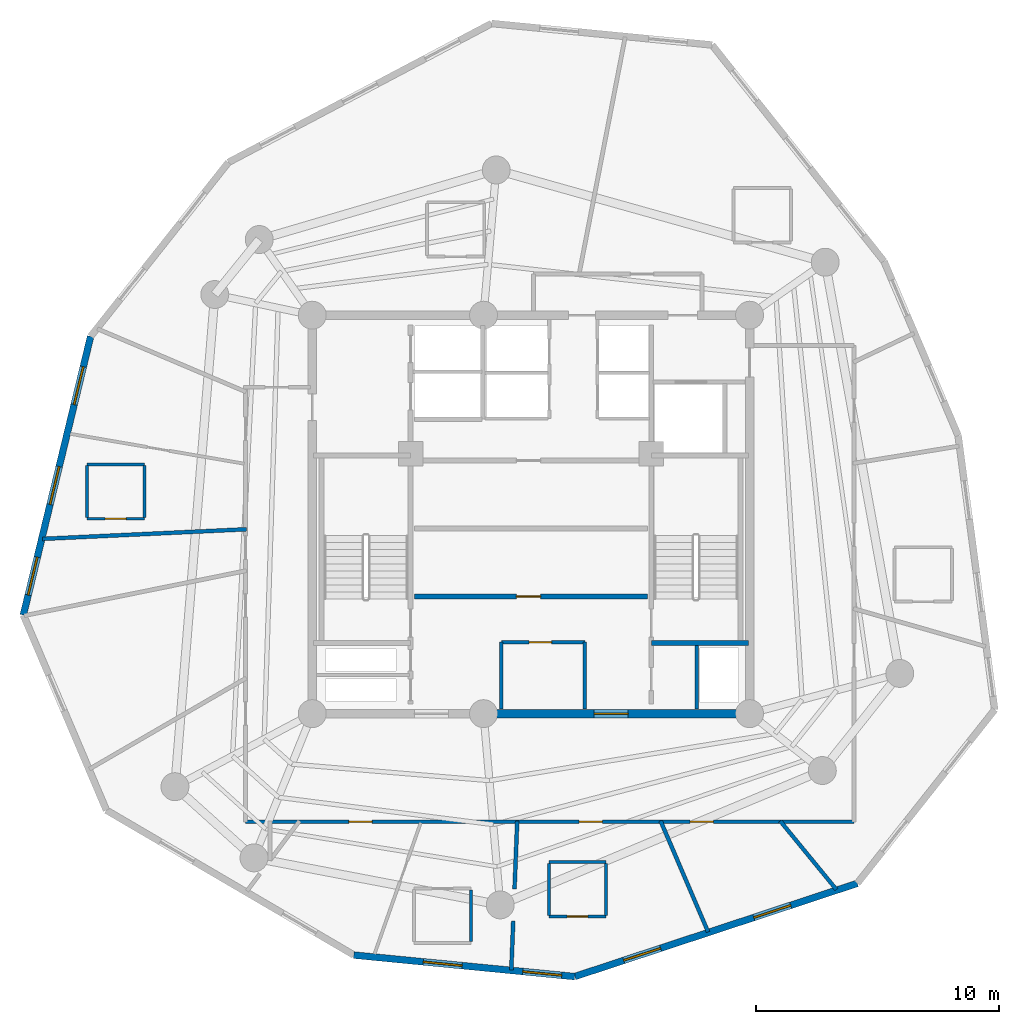
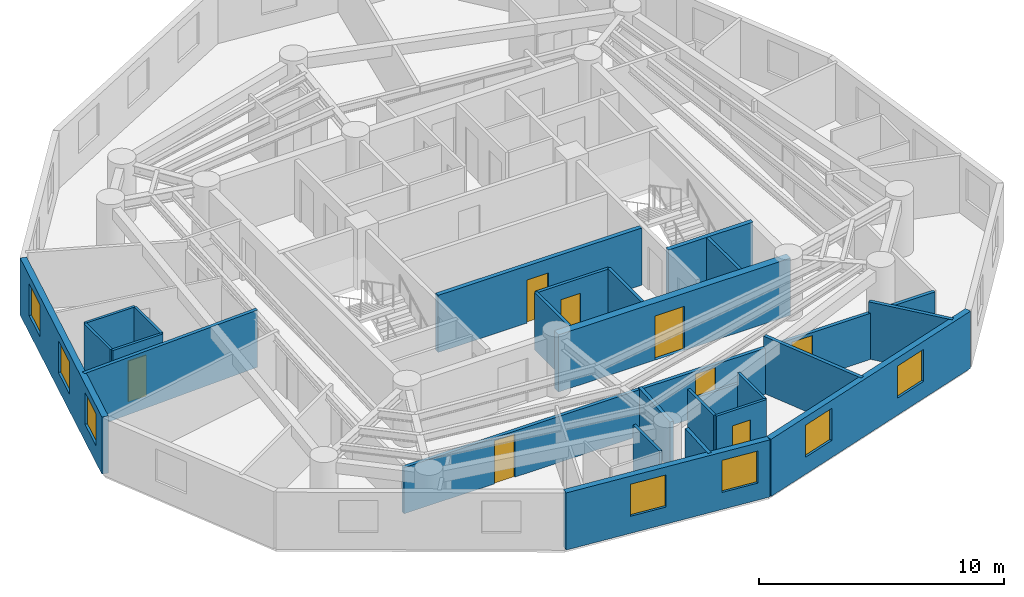
# One storey, part 3 of 7: 25 walls, 8 doors, 7 windows, 15 openings.
"""IFC4 building model written with IfcOpenShell, lengths in metres."""

from ifc_helpers import new_model, si_unit, direction, frame, frame_2d, origin, origin_with_axes, place, context, subcontext, project, spatial, rectangle, extrude, source, transform, mapped, material, layer, layer_set, type_object, element, fill, save


model = new_model("IFC4")

# Units and contexts
model_context = context("Model", 3, precision=1e-05, world=origin(), true_north=direction((0.0, 1.0)))
body_context = subcontext(model_context, "Body", "Model", "MODEL_VIEW")
ifc_project = project(units=[si_unit("LENGTHUNIT", "METRE"), si_unit("AREAUNIT", "SQUARE_METRE"), si_unit("VOLUMEUNIT", "CUBIC_METRE"), si_unit("PLANEANGLEUNIT", "RADIAN"), si_unit("MASSUNIT", "GRAM", prefix="KILO")], contexts=[model_context])

# Site, building, storey
site_placement = place(None, origin())
site = spatial("IfcSite", under=ifc_project, at=site_placement, CompositionType="ELEMENT")
building_placement = place(site_placement, origin())
building = spatial("IfcBuilding", under=site, at=building_placement, Name="Karkom Vertical University and Central Library", CompositionType="ELEMENT")
storey_placement = place(building_placement, frame((0.0, 0.0, 244.35009765625)))
storey = spatial("IfcBuildingStorey", under=building, at=storey_placement, Name="L72", CompositionType="ELEMENT", Elevation=244.35009765625)

# Wall, openings, windows
ifc_material_1 = material(Name="Brick-faced precast concrete C45/55", Category="masonry")
ifc_layer_1 = layer(ifc_material_1, 0.280029296875)
ifc_layer_set_1 = layer_set([ifc_layer_1], Name="Brick-faced precast concrete C45/55")
wall_type_1 = type_object("IfcWallType", Name="ENV-WL-BRK-280", PredefinedType="SOLIDWALL", material=ifc_layer_set_1)
wall_1_placement = place(storey_placement, frame((21.2099609375, 8.36328125, 0.0), z_axis=(0.0, 0.0, 1.0), x_axis=(0.995292316192, -0.096918549973, 0.0)))
wall_1 = element("IfcWall", 1, at=wall_1_placement, inside=storey, type_object=wall_type_1, Name="Level 72 Brick-Faced Precast Facade Wall 03", PredefinedType="SOLIDWALL", context=body_context, shape_type="SweptSolid", body=[
    extrude(rectangle(XDim=9.136474609375, YDim=0.280029296875, at=frame_2d((4.568359375, 0.0))), origin(), (0.0, 0.0, 1.0), 2.849853515625),
])
opening_1_placement = place(wall_1_placement, frame((2.87744140625, 0.0, 0.85009765625)))
opening_1 = element("IfcOpeningElement", 2, at=opening_1_placement, cuts=wall_1, Name="Opening WN-10", PredefinedType="OPENING", context=body_context, shape_type="SweptSolid", body=[
    extrude(rectangle(XDim=1.60009765625, YDim=1.60009765625, at=frame_2d((0.800048828125, 0.800048828125))), frame((0.0, 0.14990234375, 0.0), z_axis=(0.0, -1.0, 0.0), x_axis=(1.0, 0.0, 0.0)), (0.0, 0.0, 1.0), 0.300048828125),
])
opening_2_placement = place(wall_1_placement, frame((6.993408203125, 0.0, 0.85009765625)))
opening_2 = element("IfcOpeningElement", 3, at=opening_2_placement, cuts=wall_1, Name="Opening WN-10", PredefinedType="OPENING", context=body_context, shape_type="SweptSolid", body=[
    extrude(rectangle(XDim=1.60009765625, YDim=1.60009765625, at=frame_2d((0.800048828125, 0.800048828125))), frame((0.0, 0.14990234375, 0.0), z_axis=(0.0, -1.0, 0.0), x_axis=(1.0, 0.0, 0.0)), (0.0, 0.0, 1.0), 0.300048828125),
])
ifc_material_2 = material(Name="Aluminium thermal-break frame with solar-control IGU", Category="aluminium")
window_type = type_object("IfcWindowType", Name="ENV-WIN-WN-10", PartitioningType="SINGLE_PANEL", PredefinedType="WINDOW", material=ifc_material_2)
shared_shape_1 = source(origin_with_axes(), body_context, "Body", "SweptSolid", [
    extrude(rectangle(XDim=1.60009765625, YDim=1.60009765625, at=frame_2d((0.800048828125, 0.800048828125))), frame((0.0, 0.030029296875, 0.0), z_axis=(0.0, -1.0, 0.0), x_axis=(1.0, 0.0, 0.0)), (0.0, 0.0, 1.0), 0.06005859375),
])
window_1_placement = place(opening_1_placement, origin())
window_1 = element("IfcWindow", 4, at=window_1_placement, inside=storey, type_object=window_type, Name="Level 72 Punched Window 3.1", OverallHeight=1.60009765625, OverallWidth=1.60009765625, PartitioningType="SINGLE_PANEL", PredefinedType="WINDOW", context=body_context, shape_type="MappedRepresentation", body=[
    mapped(shared_shape_1, transform((0.0, 0.0, 0.0), scale=1.0)),
])
fill(opening_1, window_1)
window_2_placement = place(opening_2_placement, origin())
window_2 = element("IfcWindow", 5, at=window_2_placement, inside=storey, type_object=window_type, Name="Level 72 Punched Window 3.2", OverallHeight=1.60009765625, OverallWidth=1.60009765625, PartitioningType="SINGLE_PANEL", PredefinedType="WINDOW", context=body_context, shape_type="MappedRepresentation", body=[
    mapped(shared_shape_1, transform((0.0, 0.0, 0.0), scale=1.0)),
])
fill(opening_2, window_2)

wall_2_placement = place(storey_placement, frame((30.303466796875, 7.477783203125, 0.0), z_axis=(0.0, 0.0, 1.0), x_axis=(0.94964952646, 0.313314182403, 0.0)))
wall_2 = element("IfcWall", 6, at=wall_2_placement, inside=storey, type_object=wall_type_1, Name="Level 72 Brick-Faced Precast Facade Wall 04", PredefinedType="SOLIDWALL", context=body_context, shape_type="SweptSolid", body=[
    extrude(rectangle(XDim=12.24853515625, YDim=0.280029296875, at=frame_2d((6.124267578125, 0.0))), origin(), (0.0, 0.0, 1.0), 2.849853515625),
])
opening_3_placement = place(wall_2_placement, frame((2.123779296875, 0.0, 0.85009765625)))
opening_3 = element("IfcOpeningElement", 7, at=opening_3_placement, cuts=wall_2, Name="Opening WN-10", PredefinedType="OPENING", context=body_context, shape_type="SweptSolid", body=[
    extrude(rectangle(XDim=1.60009765625, YDim=1.60009765625, at=frame_2d((0.800048828125, 0.800048828125))), frame((0.0, 0.14990234375, 0.0), z_axis=(0.0, -1.0, 0.0), x_axis=(1.0, 0.0, 0.0)), (0.0, 0.0, 1.0), 0.300048828125),
])
opening_4_placement = place(wall_2_placement, frame((7.762451171875, 0.0, 0.85009765625)))
opening_4 = element("IfcOpeningElement", 8, at=opening_4_placement, cuts=wall_2, Name="Opening WN-10", PredefinedType="OPENING", context=body_context, shape_type="SweptSolid", body=[
    extrude(rectangle(XDim=1.60009765625, YDim=1.60009765625, at=frame_2d((0.800048828125, 0.800048828125))), frame((0.0, 0.14990234375, 0.0), z_axis=(0.0, -1.0, 0.0), x_axis=(1.0, 0.0, 0.0)), (0.0, 0.0, 1.0), 0.300048828125),
])
window_3_placement = place(opening_3_placement, origin())
window_3 = element("IfcWindow", 9, at=window_3_placement, inside=storey, type_object=window_type, Name="Level 72 Punched Window 4.1", OverallHeight=1.60009765625, OverallWidth=1.60009765625, PartitioningType="SINGLE_PANEL", PredefinedType="WINDOW", context=body_context, shape_type="MappedRepresentation", body=[
    mapped(shared_shape_1, transform((0.0, 0.0, 0.0), scale=1.0)),
])
fill(opening_3, window_3)
window_4_placement = place(opening_4_placement, origin())
window_4 = element("IfcWindow", 10, at=window_4_placement, inside=storey, type_object=window_type, Name="Level 72 Punched Window 4.2", OverallHeight=1.60009765625, OverallWidth=1.60009765625, PartitioningType="SINGLE_PANEL", PredefinedType="WINDOW", context=body_context, shape_type="MappedRepresentation", body=[
    mapped(shared_shape_1, transform((0.0, 0.0, 0.0), scale=1.0)),
])
fill(opening_4, window_4)

wall_3_placement = place(storey_placement, frame((10.379150390625, 33.829345703125, 0.0), z_axis=(0.0, 0.0, 1.0), x_axis=(-0.234744342627, -0.972057145236, 0.0)))
wall_3 = element("IfcWall", 11, at=wall_3_placement, inside=storey, type_object=wall_type_1, Name="Level 72 Brick-Faced Precast Facade Wall 12", PredefinedType="SOLIDWALL", context=body_context, shape_type="SweptSolid", body=[
    extrude(rectangle(XDim=11.80126953125, YDim=0.280029296875, at=frame_2d((5.900634765625, 0.0))), origin(), (0.0, 0.0, 1.0), 2.849853515625),
])
opening_5_placement = place(wall_3_placement, frame((1.285400390625, 0.0, 0.85009765625)))
opening_5 = element("IfcOpeningElement", 12, at=opening_5_placement, cuts=wall_3, Name="Opening WN-10", PredefinedType="OPENING", context=body_context, shape_type="SweptSolid", body=[
    extrude(rectangle(XDim=1.60009765625, YDim=1.60009765625, at=frame_2d((0.800048828125, 0.800048828125))), frame((0.0, 0.14990234375, 0.0), z_axis=(0.0, -1.0, 0.0), x_axis=(1.0, 0.0, 0.0)), (0.0, 0.0, 1.0), 0.300048828125),
])
opening_6_placement = place(wall_3_placement, frame((5.514892578125, 0.0, 0.85009765625)))
opening_6 = element("IfcOpeningElement", 13, at=opening_6_placement, cuts=wall_3, Name="Opening WN-10", PredefinedType="OPENING", context=body_context, shape_type="SweptSolid", body=[
    extrude(rectangle(XDim=1.60009765625, YDim=1.60009765625, at=frame_2d((0.800048828125, 0.800048828125))), frame((0.0, 0.14990234375, 0.0), z_axis=(0.0, -1.0, 0.0), x_axis=(1.0, 0.0, 0.0)), (0.0, 0.0, 1.0), 0.300048828125),
])
opening_7_placement = place(wall_3_placement, frame((9.350341796875, 0.0, 0.85009765625)))
opening_7 = element("IfcOpeningElement", 14, at=opening_7_placement, cuts=wall_3, Name="Opening WN-10", PredefinedType="OPENING", context=body_context, shape_type="SweptSolid", body=[
    extrude(rectangle(XDim=1.60009765625, YDim=1.60009765625, at=frame_2d((0.800048828125, 0.800048828125))), frame((0.0, 0.14990234375, 0.0), z_axis=(0.0, -1.0, 0.0), x_axis=(1.0, 0.0, 0.0)), (0.0, 0.0, 1.0), 0.300048828125),
])
window_5_placement = place(opening_5_placement, origin())
window_5 = element("IfcWindow", 15, at=window_5_placement, inside=storey, type_object=window_type, Name="Level 72 Punched Window 12.1", OverallHeight=1.60009765625, OverallWidth=1.60009765625, PartitioningType="SINGLE_PANEL", PredefinedType="WINDOW", context=body_context, shape_type="MappedRepresentation", body=[
    mapped(shared_shape_1, transform((0.0, 0.0, 0.0), scale=1.0)),
])
fill(opening_5, window_5)
window_6_placement = place(opening_6_placement, origin())
window_6 = element("IfcWindow", 16, at=window_6_placement, inside=storey, type_object=window_type, Name="Level 72 Punched Window 12.2", OverallHeight=1.60009765625, OverallWidth=1.60009765625, PartitioningType="SINGLE_PANEL", PredefinedType="WINDOW", context=body_context, shape_type="MappedRepresentation", body=[
    mapped(shared_shape_1, transform((0.0, 0.0, 0.0), scale=1.0)),
])
fill(opening_6, window_6)
window_7_placement = place(opening_7_placement, origin())
window_7 = element("IfcWindow", 17, at=window_7_placement, inside=storey, type_object=window_type, Name="Level 72 Punched Window 12.3", OverallHeight=1.60009765625, OverallWidth=1.60009765625, PartitioningType="SINGLE_PANEL", PredefinedType="WINDOW", context=body_context, shape_type="MappedRepresentation", body=[
    mapped(shared_shape_1, transform((0.0, 0.0, 0.0), scale=1.0)),
])
fill(opening_7, window_7)

# Wall, openings, doors
ifc_material_3 = material(Name="Insulated metal-stud drywall 160mm", Category="gypsum")
ifc_layer_2 = layer(ifc_material_3, 0.159912109375)
ifc_layer_set_2 = layer_set([ifc_layer_2], Name="Insulated metal-stud drywall 160mm")
wall_type_2 = type_object("IfcWallType", Name="INT-WL-COR-160", PredefinedType="PARTITIONING", material=ifc_layer_set_2)
wall_4_placement = place(storey_placement, frame((41.800048828125, 13.85009765625, 0.0), z_axis=(0.0, 0.0, 1.0), x_axis=(-1.0, 0.0, 0.0)))
wall_4 = element("IfcWall", 18, at=wall_4_placement, inside=storey, type_object=wall_type_2, Name="Level 72 Interior Partition Wall L72-CORW-CW-001", PredefinedType="PARTITIONING", context=body_context, shape_type="SweptSolid", body=[
    extrude(rectangle(XDim=25.050048828125, YDim=0.159912109375, at=frame_2d((12.52490234375, 0.0))), origin(), (0.0, 0.0, 1.0), 2.2998046875),
])
opening_8_placement = place(wall_4_placement, frame((19.82958984375, 0.0, 0.0)))
opening_8 = element("IfcOpeningElement", 19, at=opening_8_placement, cuts=wall_4, Name="Opening FD-RM2", PredefinedType="OPENING", context=body_context, shape_type="SweptSolid", body=[
    extrude(rectangle(XDim=0.9599609375, YDim=2.14990234375, at=frame_2d((0.47998046875, 1.074951171875))), frame((0.0, 0.08984375, 0.0), z_axis=(0.0, -1.0, 0.0), x_axis=(1.0, 0.0, 0.0)), (0.0, 0.0, 1.0), 0.179931640625),
])
opening_9_placement = place(wall_4_placement, frame((10.35498046875, 0.0, 0.0)))
opening_9 = element("IfcOpeningElement", 20, at=opening_9_placement, cuts=wall_4, Name="Opening FD-RM2", PredefinedType="OPENING", context=body_context, shape_type="SweptSolid", body=[
    extrude(rectangle(XDim=0.9599609375, YDim=2.14990234375, at=frame_2d((0.47998046875, 1.074951171875))), frame((0.0, 0.08984375, 0.0), z_axis=(0.0, -1.0, 0.0), x_axis=(1.0, 0.0, 0.0)), (0.0, 0.0, 1.0), 0.179931640625),
])
opening_10_placement = place(wall_4_placement, frame((5.78759765625, 0.0, 0.0)))
opening_10 = element("IfcOpeningElement", 21, at=opening_10_placement, cuts=wall_4, Name="Opening FD-RM2", PredefinedType="OPENING", context=body_context, shape_type="SweptSolid", body=[
    extrude(rectangle(XDim=0.9599609375, YDim=2.14990234375, at=frame_2d((0.47998046875, 1.074951171875))), frame((0.0, 0.08984375, 0.0), z_axis=(0.0, -1.0, 0.0), x_axis=(1.0, 0.0, 0.0)), (0.0, 0.0, 1.0), 0.179931640625),
])
ifc_material_4 = material(Name="Fire-rated oak veneer door", Category="wood")
door_type_1 = type_object("IfcDoorType", Name="INT-DR-FRM2", OperationType="NOTDEFINED", PredefinedType="DOOR", material=ifc_material_4)
shared_shape_2 = source(origin_with_axes(), body_context, "Body", "SweptSolid", [
    extrude(rectangle(XDim=0.9599609375, YDim=2.14990234375, at=frame_2d((0.47998046875, 1.074951171875))), frame((0.0, 0.02490234375, 0.0), z_axis=(0.0, -1.0, 0.0), x_axis=(1.0, 0.0, 0.0)), (0.0, 0.0, 1.0), 0.050048828125),
])
door_1_placement = place(opening_8_placement, origin())
door_1 = element("IfcDoor", 22, at=door_1_placement, inside=storey, type_object=door_type_1, Name="Level 72 Room Entry Door 406", OperationType="SINGLE_SWING_LEFT", OverallHeight=2.14990234375, OverallWidth=0.9599609375, PredefinedType="DOOR", context=body_context, shape_type="MappedRepresentation", body=[
    mapped(shared_shape_2, transform((0.0, 0.0, 0.0), scale=1.0)),
])
fill(opening_8, door_1)
door_2_placement = place(opening_9_placement, origin())
door_2 = element("IfcDoor", 23, at=door_2_placement, inside=storey, type_object=door_type_1, Name="Level 72 Room Entry Door 408", OperationType="SINGLE_SWING_LEFT", OverallHeight=2.14990234375, OverallWidth=0.9599609375, PredefinedType="DOOR", context=body_context, shape_type="MappedRepresentation", body=[
    mapped(shared_shape_2, transform((0.0, 0.0, 0.0), scale=1.0)),
])
fill(opening_9, door_2)
door_3_placement = place(opening_10_placement, origin())
door_3 = element("IfcDoor", 24, at=door_3_placement, inside=storey, type_object=door_type_1, Name="Level 72 Room Entry Door 305", OperationType="SINGLE_SWING_RIGHT", OverallHeight=2.14990234375, OverallWidth=0.9599609375, PredefinedType="DOOR", context=body_context, shape_type="MappedRepresentation", body=[
    mapped(shared_shape_2, transform((0.0, 0.0, 0.0), scale=1.0)),
])
fill(opening_10, door_3)

# Walls
wall_5_placement = place(storey_placement, frame((8.39453125, 25.493408203125, 0.0), z_axis=(0.0, 0.0, 1.0), x_axis=(0.998893542663, 0.047028612837, 0.0)))
element("IfcWall", 25, at=wall_5_placement, inside=storey, type_object=wall_type_2, Name="Level 72 Interior Partition Wall L72-PW-002", PredefinedType="PARTITIONING", context=body_context, shape_type="SweptSolid", body=[
    extrude(rectangle(XDim=8.409912109375, YDim=0.159912109375, at=frame_2d((4.205078125, 0.0))), origin(), (0.0, 0.0, 1.0), 2.849853515625),
])
wall_6_placement = place(storey_placement, frame((33.8349609375, 13.891357421875, 0.0), z_axis=(0.0, 0.0, 1.0), x_axis=(0.39367657113, -0.919249018135, 0.0)))
element("IfcWall", 26, at=wall_6_placement, inside=storey, type_object=wall_type_2, Name="Level 72 Interior Partition Wall L72-PW-009", PredefinedType="PARTITIONING", context=body_context, shape_type="SweptSolid", body=[
    extrude(rectangle(XDim=4.977294921875, YDim=0.159912109375, at=frame_2d((2.48876953125, 0.0))), origin(), (0.0, 0.0, 1.0), 2.849853515625),
])
wall_7_placement = place(storey_placement, frame((38.759521484375, 13.884765625, 0.0), z_axis=(0.0, 0.0, 1.0), x_axis=(0.633813161693, -0.773486183499, 0.0)))
element("IfcWall", 27, at=wall_7_placement, inside=storey, type_object=wall_type_2, Name="Level 72 Interior Partition Wall L72-PW-010", PredefinedType="PARTITIONING", context=body_context, shape_type="SweptSolid", body=[
    extrude(rectangle(XDim=3.649658203125, YDim=0.159912109375, at=frame_2d((1.82470703125, 0.0))), origin(), (0.0, 0.0, 1.0), 2.849853515625),
])
wall_8_placement = place(storey_placement, frame((27.9375, 13.8798828125, 0.0), z_axis=(0.0, 0.0, 1.0), x_axis=(-0.039699142553, -0.999211678315, 0.0)))
element("IfcWall", 28, at=wall_8_placement, inside=storey, type_object=wall_type_2, Name="Level 72 Interior Partition Wall L72-PW-007", PredefinedType="PARTITIONING", context=body_context, shape_type="SweptSolid", body=[
    extrude(rectangle(XDim=2.7919921875, YDim=0.159912109375, at=frame_2d((1.39599609375, 0.0))), origin(), (0.0, 0.0, 1.0), 2.349853515625),
])
wall_9_placement = place(storey_placement, frame((27.77392578125, 9.77001953125, 0.0), z_axis=(0.0, 0.0, 1.0), x_axis=(-0.039750244284, -0.999209646711, 0.0)))
element("IfcWall", 29, at=wall_9_placement, inside=storey, type_object=wall_type_2, Name="Level 72 Interior Partition Wall L72-PW-008", PredefinedType="PARTITIONING", context=body_context, shape_type="SweptSolid", body=[
    extrude(rectangle(XDim=2.0146484375, YDim=0.159912109375, at=frame_2d((1.00732421875, 0.0))), origin(), (0.0, 0.0, 1.0), 2.849853515625),
])

# Wall, opening, door
ifc_material_5 = material(Name="Moisture-resistant drywall 120mm", Category="gypsum")
ifc_layer_3 = layer(ifc_material_5, 0.1201171875)
ifc_layer_set_3 = layer_set([ifc_layer_3], Name="Moisture-resistant drywall 120mm")
wall_type_3 = type_object("IfcWallType", Name="INT-WL-INT-120F", PredefinedType="PARTITIONING", material=ifc_layer_set_3)
wall_10_placement = place(storey_placement, frame((29.238037109375, 9.950927734375, 0.0), z_axis=(0.0, 0.0, 1.0), x_axis=(1.0, 0.0, 0.0)))
wall_10 = element("IfcWall", 30, at=wall_10_placement, inside=storey, type_object=wall_type_3, Name="Level 72 Interior Partition Wall L72-ENS-44-S", PredefinedType="PARTITIONING", context=body_context, shape_type="SweptSolid", body=[
    extrude(rectangle(XDim=2.35986328125, YDim=0.1201171875, at=frame_2d((1.179931640625, 0.0))), origin(), (0.0, 0.0, 1.0), 2.849853515625),
])
opening_11_placement = place(wall_10_placement, frame((0.75, 0.0, 0.0)))
opening_11 = element("IfcOpeningElement", 31, at=opening_11_placement, cuts=wall_10, Name="Opening D-BATH", PredefinedType="OPENING", context=body_context, shape_type="SweptSolid", body=[
    extrude(rectangle(XDim=0.860107421875, YDim=2.10009765625, at=frame_2d((0.43017578125, 1.050048828125))), frame((0.0, 0.070068359375, 0.0), z_axis=(0.0, -1.0, 0.0), x_axis=(1.0, 0.0, 0.0)), (0.0, 0.0, 1.0), 0.14013671875),
])
ifc_material_6 = material(Name="Moisture-resistant oak door", Category="wood")
door_type_2 = type_object("IfcDoorType", Name="INT-DR-BATH", OperationType="NOTDEFINED", PredefinedType="DOOR", material=ifc_material_6)
shared_shape_3 = source(origin_with_axes(), body_context, "Body", "SweptSolid", [
    extrude(rectangle(XDim=0.860107421875, YDim=2.10009765625, at=frame_2d((0.43017578125, 1.050048828125))), frame((0.0, 0.02490234375, 0.0), z_axis=(0.0, -1.0, 0.0), x_axis=(1.0, 0.0, 0.0)), (0.0, 0.0, 1.0), 0.050048828125),
])
door_4_placement = place(opening_11_placement, origin())
door_4 = element("IfcDoor", 32, at=door_4_placement, inside=storey, type_object=door_type_2, Name="Level 72 En-Suite Bathroom Door 44", OperationType="SINGLE_SWING_RIGHT", OverallHeight=2.10009765625, OverallWidth=0.860107421875, PredefinedType="DOOR", context=body_context, shape_type="MappedRepresentation", body=[
    mapped(shared_shape_3, transform((0.0, 0.0, 0.0), scale=1.0)),
])
fill(opening_11, door_4)

# Wall
wall_11_placement = place(storey_placement, frame((31.597900390625, 12.19091796875, 0.0), z_axis=(0.0, 0.0, 1.0), x_axis=(-1.0, 0.0, 0.0)))
element("IfcWall", 33, at=wall_11_placement, inside=storey, type_object=wall_type_3, Name="Level 72 Interior Partition Wall L72-ENS-44-N", PredefinedType="PARTITIONING", context=body_context, shape_type="SweptSolid", body=[
    extrude(rectangle(XDim=2.35986328125, YDim=0.1201171875, at=frame_2d((1.179931640625, 0.0))), origin(), (0.0, 0.0, 1.0), 2.2998046875),
])

# Wall, opening, door
wall_12_placement = place(storey_placement, frame((10.22998046875, 26.322998046875, 0.0), z_axis=(0.0, 0.0, 1.0), x_axis=(1.0, 0.0, 0.0)))
wall_12 = element("IfcWall", 34, at=wall_12_placement, inside=storey, type_object=wall_type_3, Name="Level 72 Interior Partition Wall L72-ENS-51-S", PredefinedType="PARTITIONING", context=body_context, shape_type="SweptSolid", body=[
    extrude(rectangle(XDim=2.360107421875, YDim=0.1201171875, at=frame_2d((1.18017578125, 0.0))), origin(), (0.0, 0.0, 1.0), 2.849853515625),
])
opening_12_placement = place(wall_12_placement, frame((0.75, 0.0, 0.0)))
opening_12 = element("IfcOpeningElement", 35, at=opening_12_placement, cuts=wall_12, Name="Opening D-BTH2", PredefinedType="OPENING", context=body_context, shape_type="SweptSolid", body=[
    extrude(rectangle(XDim=0.860107421875, YDim=2.0400390625, at=frame_2d((0.43017578125, 1.02001953125))), frame((0.0, 0.070068359375, 0.0), z_axis=(0.0, -1.0, 0.0), x_axis=(1.0, 0.0, 0.0)), (0.0, 0.0, 1.0), 0.14013671875),
])
door_type_3 = type_object("IfcDoorType", Name="INT-DR-DBTH2", OperationType="NOTDEFINED", PredefinedType="DOOR", material=ifc_material_6)
shared_shape_4 = source(origin_with_axes(), body_context, "Body", "SweptSolid", [
    extrude(rectangle(XDim=0.860107421875, YDim=2.0400390625, at=frame_2d((0.43017578125, 1.02001953125))), frame((0.0, 0.02490234375, 0.0), z_axis=(0.0, -1.0, 0.0), x_axis=(1.0, 0.0, 0.0)), (0.0, 0.0, 1.0), 0.050048828125),
])
door_5_placement = place(opening_12_placement, origin())
door_5 = element("IfcDoor", 36, at=door_5_placement, inside=storey, type_object=door_type_3, Name="Level 72 En-Suite Bathroom Door 51", OperationType="SINGLE_SWING_RIGHT", OverallHeight=2.0400390625, OverallWidth=0.860107421875, PredefinedType="DOOR", context=body_context, shape_type="MappedRepresentation", body=[
    mapped(shared_shape_4, transform((0.0, 0.0, 0.0), scale=1.0)),
])
fill(opening_12, door_5)

# Walls
wall_13_placement = place(storey_placement, frame((12.590087890625, 28.56298828125, 0.0), z_axis=(0.0, 0.0, 1.0), x_axis=(-1.0, 0.0, 0.0)))
element("IfcWall", 37, at=wall_13_placement, inside=storey, type_object=wall_type_3, Name="Level 72 Interior Partition Wall L72-ENS-51-N", PredefinedType="PARTITIONING", context=body_context, shape_type="SweptSolid", body=[
    extrude(rectangle(XDim=2.360107421875, YDim=0.1201171875, at=frame_2d((1.18017578125, 0.0))), origin(), (0.0, 0.0, 1.0), 2.849853515625),
])
wall_14_placement = place(storey_placement, frame((26.04296875, 8.9130859375, 0.0), z_axis=(0.0, 0.0, 1.0), x_axis=(0.0, 1.0, 0.0)))
element("IfcWall", 38, at=wall_14_placement, inside=storey, type_object=wall_type_3, Name="Level 72 Interior Partition Wall L72-ENS-43-E", PredefinedType="PARTITIONING", context=body_context, shape_type="SweptSolid", body=[
    extrude(rectangle(XDim=2.139892578125, YDim=0.1201171875, at=frame_2d((1.06982421875, 0.0))), origin(), (0.0, 0.0, 1.0), 2.849853515625),
])
for number, where, z_axis, x_axis, name in (
    (39, (31.597900390625, 10.0009765625, 0.0), (0.0, 0.0, 1.0), (0.0, 1.0, 0.0), "Level 72 Interior Partition Wall L72-ENS-44-E"),
    (40, (29.238037109375, 12.14111328125, 0.0), (0.0, 0.0, 1.0), (0.0, -1.0, 0.0), "Level 72 Interior Partition Wall L72-ENS-44-W"),
):
    element("IfcWall", number, at=place(storey_placement, frame(where, z_axis=z_axis, x_axis=x_axis)), inside=storey, type_object=wall_type_3, Name=name, PredefinedType="PARTITIONING", context=body_context, shape_type="SweptSolid", body=[
        extrude(rectangle(XDim=2.14013671875, YDim=0.1201171875, at=frame_2d((1.070068359375, 0.0))), origin(), (0.0, 0.0, 1.0), 2.849853515625),
    ])
for number, where, z_axis, x_axis, name in (
    (41, (12.590087890625, 26.373046875, 0.0), (0.0, 0.0, 1.0), (0.0, 1.0, 0.0), "Level 72 Interior Partition Wall L72-ENS-51-E"),
    (42, (10.22998046875, 28.512939453125, 0.0), (0.0, 0.0, 1.0), (0.0, -1.0, 0.0), "Level 72 Interior Partition Wall L72-ENS-51-W"),
):
    element("IfcWall", number, at=place(storey_placement, frame(where, z_axis=z_axis, x_axis=x_axis)), inside=storey, type_object=wall_type_3, Name=name, PredefinedType="PARTITIONING", context=body_context, shape_type="SweptSolid", body=[
        extrude(rectangle(XDim=2.139892578125, YDim=0.1201171875, at=frame_2d((1.06982421875, 0.0))), origin(), (0.0, 0.0, 1.0), 2.849853515625),
    ])

# Wall, opening, door
ifc_material_7 = material(Name="Metal-stud gypsum partition 140mm", Category="gypsum")
ifc_layer_4 = layer(ifc_material_7, 0.139892578125)
ifc_layer_set_4 = layer_set([ifc_layer_4], Name="Metal-stud gypsum partition 140mm")
wall_type_4 = type_object("IfcWallType", Name="INT-WL-SUB-140", PredefinedType="PARTITIONING", material=ifc_layer_set_4)
wall_15_placement = place(storey_placement, frame((27.280029296875, 21.239990234375, 0.0), z_axis=(0.0, 0.0, 1.0), x_axis=(1.0, 0.0, 0.0)))
wall_15 = element("IfcWall", 43, at=wall_15_placement, inside=storey, type_object=wall_type_4, Name="Level 72 Interior Partition Wall L72-CW-KBAY-N", PredefinedType="PARTITIONING", context=body_context, shape_type="SweptSolid", body=[
    extrude(rectangle(XDim=3.43994140625, YDim=0.139892578125, at=frame_2d((1.719970703125, 0.0))), origin(), (0.0, 0.0, 1.0), 2.849853515625),
])
opening_13_placement = place(wall_15_placement, frame((1.14990234375, 0.0, 0.0)))
opening_13 = element("IfcOpeningElement", 44, at=opening_13_placement, cuts=wall_15, Name="Opening D-SVC1", PredefinedType="OPENING", context=body_context, shape_type="SweptSolid", body=[
    extrude(rectangle(XDim=0.919921875, YDim=2.10009765625, at=frame_2d((0.4599609375, 1.050048828125))), frame((0.0, 0.080078125, 0.0), z_axis=(0.0, -1.0, 0.0), x_axis=(1.0, 0.0, 0.0)), (0.0, 0.0, 1.0), 0.159912109375),
])
ifc_material_8 = material(Name="Painted timber service door", Category="wood")
door_type_4 = type_object("IfcDoorType", Name="INT-DR-SVC1", OperationType="NOTDEFINED", PredefinedType="DOOR", material=ifc_material_8)
shared_shape_5 = source(origin_with_axes(), body_context, "Body", "SweptSolid", [
    extrude(rectangle(XDim=0.919921875, YDim=2.10009765625, at=frame_2d((0.4599609375, 1.050048828125))), frame((0.0, 0.02490234375, 0.0), z_axis=(0.0, -1.0, 0.0), x_axis=(1.0, 0.0, 0.0)), (0.0, 0.0, 1.0), 0.050048828125),
])
door_6_placement = place(opening_13_placement, origin())
door_6 = element("IfcDoor", 45, at=door_6_placement, inside=storey, type_object=door_type_4, Name="Level 72 Comms Room Door", OperationType="SINGLE_SWING_LEFT", OverallHeight=2.10009765625, OverallWidth=0.919921875, PredefinedType="DOOR", context=body_context, shape_type="MappedRepresentation", body=[
    mapped(shared_shape_5, transform((0.0, 0.0, 0.0), scale=1.0)),
])
fill(opening_13, door_6)

# Walls
for number, where, z_axis, x_axis, name in (
    (46, (27.280029296875, 18.48193359375, 0.0), (0.0, 0.0, 1.0), (0.0, 1.0, 0.0), "Level 72 Interior Partition Wall L72-CW-KBAY-W"),
    (47, (30.719970703125, 18.48193359375, 0.0), (0.0, 0.0, 1.0), (0.0, 1.0, 0.0), "Level 72 Interior Partition Wall L72-CW-KBAY-E"),
):
    element("IfcWall", number, at=place(storey_placement, frame(where, z_axis=z_axis, x_axis=x_axis)), inside=storey, type_object=wall_type_4, Name=name, PredefinedType="PARTITIONING", context=body_context, shape_type="SweptSolid", body=[
        extrude(rectangle(XDim=2.758056640625, YDim=0.139892578125, at=frame_2d((1.37890625, 0.0))), origin(), (0.0, 0.0, 1.0), 2.849853515625),
    ])
ifc_layer_5 = layer(ifc_material_7, 0.139892578125)
ifc_layer_set_5 = layer_set([ifc_layer_5], Name="Metal-stud gypsum partition 140mm")
wall_type_5 = type_object("IfcWallType", Name="INT-WL-SUB-140H", PredefinedType="PARTITIONING", material=ifc_layer_set_5)
wall_16_placement = place(storey_placement, frame((35.320068359375, 18.48193359375, 0.0), z_axis=(0.0, 0.0, 1.0), x_axis=(0.0, 1.0, 0.0)))
element("IfcWall", 48, at=wall_16_placement, inside=storey, type_object=wall_type_5, Name="Level 72 Interior Partition Wall L72-CW-RIS-E", PredefinedType="PARTITIONING", context=body_context, shape_type="SweptSolid", body=[
    extrude(rectangle(XDim=2.629150390625, YDim=0.139892578125, at=frame_2d((1.314453125, 0.0))), origin(), (0.0, 0.0, 1.0), 2.849853515625),
])

# Wall, opening, door
ifc_material_9 = material(Name="Concrete C45/55", Category="concrete")
ifc_layer_6 = layer(ifc_material_9, 0.35009765625)
ifc_layer_set_6 = layer_set([ifc_layer_6], Name="Concrete C45/55")
wall_type_6 = type_object("IfcWallType", Name="STR-WL-CW-350", PredefinedType="SHEAR", material=ifc_layer_set_6)
wall_17_placement = place(storey_placement, frame((26.550048828125, 18.300048828125, 0.0), z_axis=(0.0, 0.0, 1.0), x_axis=(1.0, 0.0, 0.0)))
wall_17 = element("IfcWall", 49, at=wall_17_placement, inside=storey, type_object=wall_type_6, Name="Level 72 Central Core Shear Wall SW2", PredefinedType="SHEAR", context=body_context, shape_type="SweptSolid", body=[
    extrude(rectangle(XDim=10.949951171875, YDim=0.35009765625, at=frame_2d((5.47509765625, 0.0))), origin(), (0.0, 0.0, 1.0), 2.849853515625),
])
opening_14_placement = place(wall_17_placement, frame((4.550048828125, 0.0, 0.0)))
opening_14 = element("IfcOpeningElement", 50, at=opening_14_placement, cuts=wall_17, Name="Opening FD-CLB", PredefinedType="OPENING", context=body_context, shape_type="SweptSolid", body=[
    extrude(rectangle(XDim=1.39990234375, YDim=2.199951171875, at=frame_2d((0.699951171875, 1.10009765625))), frame((0.0, 0.18505859375, 0.0), z_axis=(0.0, -1.0, 0.0), x_axis=(1.0, 0.0, 0.0)), (0.0, 0.0, 1.0), 0.3701171875),
])
ifc_material_10 = material(Name="Painted steel fire door", Category="steel")
door_type_5 = type_object("IfcDoorType", Name="INT-DR-CLB", OperationType="DOUBLE_DOOR_SINGLE_SWING", PredefinedType="DOOR", material=ifc_material_10)
shared_shape_6 = source(origin_with_axes(), body_context, "Body", "SweptSolid", [
    extrude(rectangle(XDim=1.39990234375, YDim=2.199951171875, at=frame_2d((0.699951171875, 1.10009765625))), frame((0.0, 0.02490234375, 0.0), z_axis=(0.0, -1.0, 0.0), x_axis=(1.0, 0.0, 0.0)), (0.0, 0.0, 1.0), 0.050048828125),
])
door_7_placement = place(opening_14_placement, origin())
door_7 = element("IfcDoor", 51, at=door_7_placement, inside=storey, type_object=door_type_5, Name="Level 72 South Core Lobby East Exit Door", OperationType="DOUBLE_DOOR_SINGLE_SWING", OverallHeight=2.199951171875, OverallWidth=1.39990234375, PredefinedType="DOOR", context=body_context, shape_type="MappedRepresentation", body=[
    mapped(shared_shape_6, transform((0.0, 0.0, 0.0), scale=1.0)),
])
fill(opening_14, door_7)

ifc_layer_7 = layer(ifc_material_9, 0.199951171875)
ifc_layer_set_7 = layer_set([ifc_layer_7], Name="Concrete C45/55")
wall_type_7 = type_object("IfcWallType", Name="STR-WL-ST-200", PredefinedType="SHEAR", material=ifc_layer_set_7)
wall_18_placement = place(storey_placement, frame((23.699951171875, 23.1201171875, 0.0), z_axis=(0.0, 0.0, 1.0), x_axis=(1.0, 0.0, 0.0)))
wall_18 = element("IfcWall", 52, at=wall_18_placement, inside=storey, type_object=wall_type_7, Name="Level 72 Core Shaft Wall L72-CW-B1-S", PredefinedType="SHEAR", context=body_context, shape_type="SweptSolid", body=[
    extrude(rectangle(XDim=9.60009765625, YDim=0.199951171875, at=frame_2d((4.800048828125, 0.0))), origin(), (0.0, 0.0, 1.0), 2.849853515625),
])
opening_15_placement = place(wall_18_placement, frame((4.199951171875, 0.0, 0.0)))
opening_15 = element("IfcOpeningElement", 53, at=opening_15_placement, cuts=wall_18, Name="Opening D-STR1", PredefinedType="OPENING", context=body_context, shape_type="SweptSolid", body=[
    extrude(rectangle(XDim=1.0, YDim=2.14990234375, at=frame_2d((0.5, 1.074951171875))), frame((0.0, 0.10986328125, 0.0), z_axis=(0.0, -1.0, 0.0), x_axis=(1.0, 0.0, 0.0)), (0.0, 0.0, 1.0), 0.219970703125),
])
ifc_material_11 = material(Name="Solid-core hardwood fire door", Category="wood")
door_type_6 = type_object("IfcDoorType", Name="INT-DR-STR1", OperationType="NOTDEFINED", PredefinedType="DOOR", material=ifc_material_11)
shared_shape_7 = source(origin_with_axes(), body_context, "Body", "SweptSolid", [
    extrude(rectangle(XDim=1.0, YDim=2.14990234375, at=frame_2d((0.5, 1.074951171875))), frame((0.0, 0.02490234375, 0.0), z_axis=(0.0, -1.0, 0.0), x_axis=(1.0, 0.0, 0.0)), (0.0, 0.0, 1.0), 0.050048828125),
])
door_8_placement = place(opening_15_placement, origin())
door_8 = element("IfcDoor", 54, at=door_8_placement, inside=storey, type_object=door_type_6, Name="Level 72 Campus Digital Archive Store Door", OperationType="SINGLE_SWING_RIGHT", OverallHeight=2.14990234375, OverallWidth=1.0, PredefinedType="DOOR", context=body_context, shape_type="MappedRepresentation", body=[
    mapped(shared_shape_7, transform((0.0, 0.0, 0.0), scale=1.0)),
])
fill(opening_15, door_8)

# Wall
wall_19_placement = place(storey_placement, frame((33.455078125, 21.215087890625, 0.0), z_axis=(0.0, 0.0, 1.0), x_axis=(1.0, 0.0, 0.0)))
element("IfcWall", 55, at=wall_19_placement, inside=storey, type_object=wall_type_7, Name="Level 72 Core Shaft Wall L72-CW-ST2-S", PredefinedType="SHEAR", context=body_context, shape_type="SweptSolid", body=[
    extrude(rectangle(XDim=3.994873046875, YDim=0.199951171875, at=frame_2d((1.99755859375, 0.0))), origin(), (0.0, 0.0, 1.0), 2.849853515625),
])

save(model, "model.ifc")
